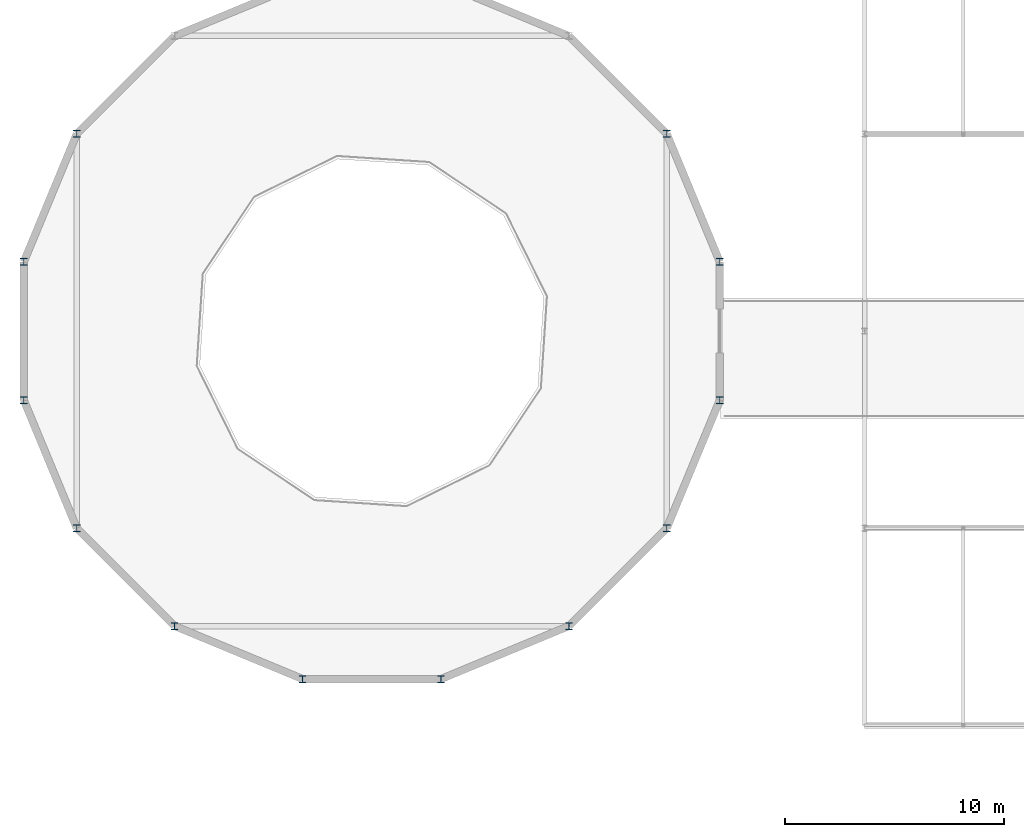
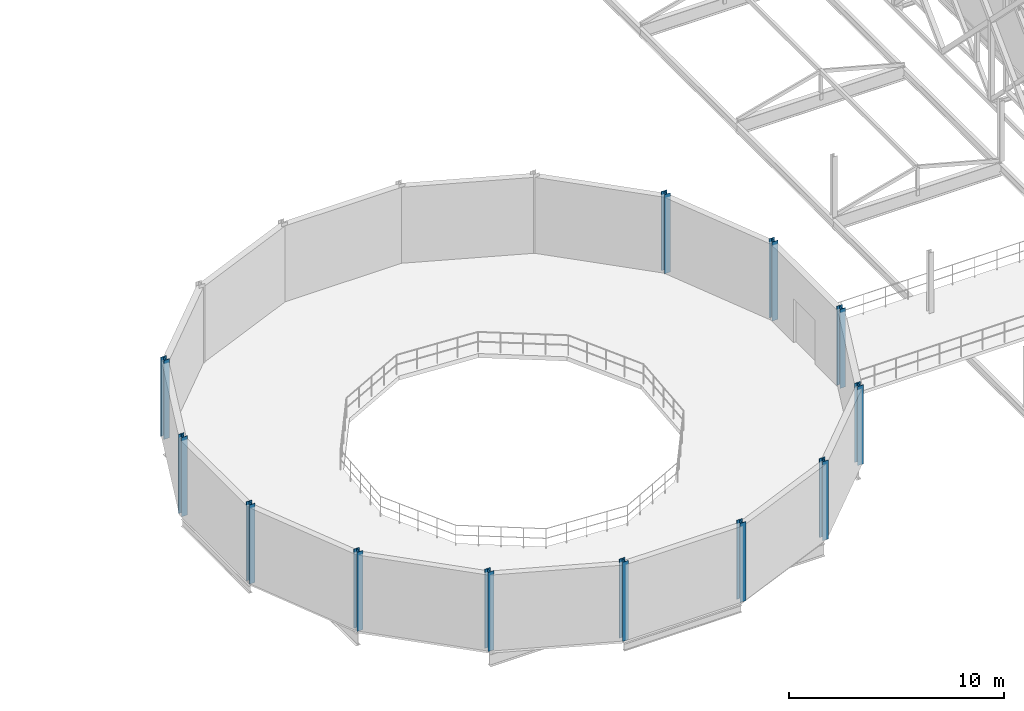
# One storey, part 1 of 140: 12 columns.
"""IFC4 building model written with IfcOpenShell, lengths in metres."""

from ifc_helpers import new_model, si_unit, direction, frame, origin, origin_2d, place, context, subcontext, project, spatial, i_section, extrude, material, material_profile, profile_set, type_object, element, save


model = new_model("IFC4")

# Units and contexts
model_context = context("Model", 3, precision=1e-05, world=origin(), true_north=direction((0.0, 1.0)))
body_context = subcontext(model_context, "Body", "Model", "MODEL_VIEW")
ifc_project = project(units=[si_unit("LENGTHUNIT", "METRE"), si_unit("AREAUNIT", "SQUARE_METRE"), si_unit("VOLUMEUNIT", "CUBIC_METRE"), si_unit("PLANEANGLEUNIT", "RADIAN"), si_unit("MASSUNIT", "GRAM", prefix="KILO"), si_unit("THERMODYNAMICTEMPERATUREUNIT", "KELVIN"), si_unit("POWERUNIT", "WATT")], contexts=[model_context])

# Site, building, storey
site_placement = place(None, origin())
site = spatial("IfcSite", under=ifc_project, at=site_placement, CompositionType="ELEMENT")
building_placement = place(site_placement, origin())
building = spatial("IfcBuilding", under=site, at=building_placement, Name="Tallowbark Science Centre", CompositionType="ELEMENT")
storey_placement = place(building_placement, frame((0.0, 0.0, 9.89990234375)))
storey = spatial("IfcBuildingStorey", under=building, at=storey_placement, Name="L02", CompositionType="ELEMENT", Elevation=9.89990234375)

# Columns
ifc_material = material(Name="Structural Steel Grade 300PLUS (300 MPa)", Category="steel")
ifc_material_profile = material_profile(ifc_material, i_section(OverallWidth=0.307373046875, OverallDepth=0.314697265625, WebThickness=0.011962890625, FlangeThickness=0.018798828125, FilletRadius=0.0166015625, at=origin_2d()), Name="310UC118")
ifc_profile_set = profile_set([ifc_material_profile], Name="Structural Steel Grade 300PLUS (300 MPa)")
column_type = type_object("IfcColumnType", Name="PIL-UC310", PredefinedType="PILASTER", material=ifc_profile_set)
for number, where, z_axis, x_axis, name in (
    (1, (38.388671875, 21.160400390625, 0.0), (0.0, 0.0, 1.0), (1.0, 0.0, 0.0), "Column DRM-P01 L02"),
    (2, (35.9697265625, 27.000244140625, 0.0), (0.0, 0.0, 1.0), (1.0, 0.0, 0.0), "Column DRM-P02 L02"),
    (3, (9.0302734375, 27.000244140625, 0.0), (0.0, 0.0, 1.0), (1.0, 0.0, 0.0), "Column DRM-P07 L02"),
    (4, (6.611328125, 21.160400390625, 0.0), (0.0, 0.0, 1.0), (1.0, 0.0, 0.0), "Column DRM-P08 L02"),
    (5, (6.611328125, 14.839599609375, 0.0), (0.0, 0.0, 1.0), (1.0, 0.0, 0.0), "Column DRM-P09 L02"),
    (6, (9.0302734375, 8.999755859375, 0.0), (0.0, 0.0, 1.0), (1.0, 0.0, 0.0), "Column DRM-P10 L02"),
    (7, (13.499755859375, 4.5302734375, 0.0), (0.0, 0.0, 1.0), (1.0, 0.0, 0.0), "Column DRM-P11 L02"),
    (8, (19.339599609375, 2.111328125, 0.0), (0.0, 0.0, 1.0), (1.0, 0.0, 0.0), "Column DRM-P12 L02"),
    (9, (25.660400390625, 2.111328125, 0.0), (0.0, 0.0, 1.0), (1.0, 0.0, 0.0), "Column DRM-P13 L02"),
    (10, (31.500244140625, 4.5302734375, 0.0), (0.0, 0.0, 1.0), (1.0, 0.0, 0.0), "Column DRM-P14 L02"),
    (11, (35.9697265625, 8.999755859375, 0.0), (0.0, 0.0, 1.0), (1.0, 0.0, 0.0), "Column DRM-P15 L02"),
    (12, (38.388671875, 14.839599609375, 0.0), (0.0, 0.0, 1.0), (1.0, 0.0, 0.0), "Column DRM-P16 L02"),
):
    element("IfcColumn", number, at=place(storey_placement, frame(where, z_axis=z_axis, x_axis=x_axis)), inside=storey, type_object=column_type, Name=name, PredefinedType="PILASTER", context=body_context, shape_type="SweptSolid", body=[
        extrude(i_section(OverallWidth=0.307373046875, OverallDepth=0.314697265625, WebThickness=0.011962890625, FlangeThickness=0.018798828125, FilletRadius=0.0166015625, at=origin_2d()), origin(), (0.0, 0.0, 1.0), 4.5),
    ])

save(model, "model.ifc")
